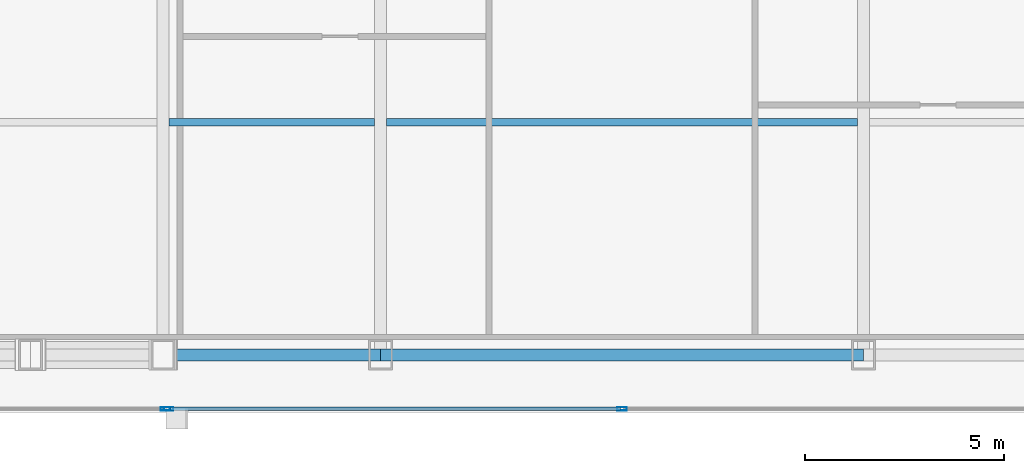
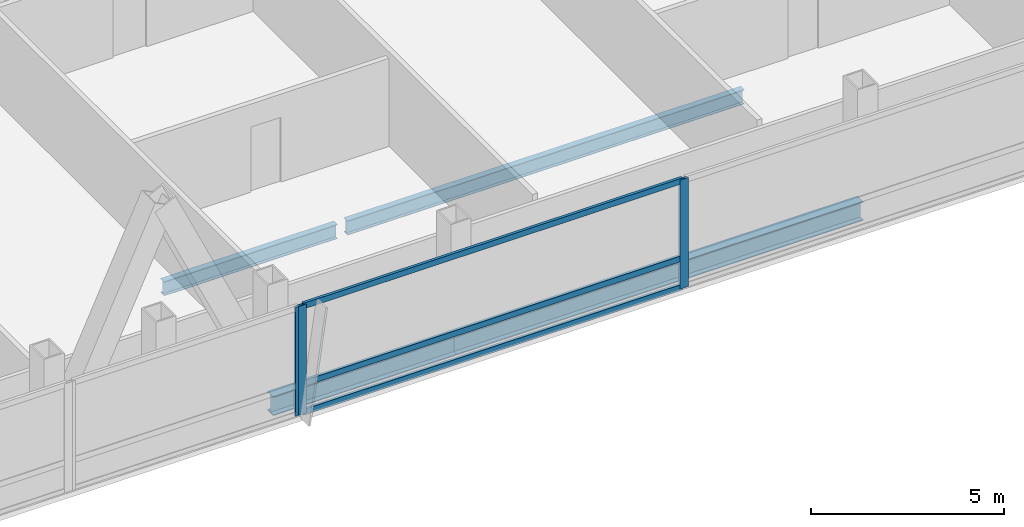
# One storey, part 8 of 32: 6 members, 4 beams, 2 elements without a shape of their own.
"""IFC4 building model written with IfcOpenShell, lengths in metres."""

from ifc_helpers import new_model, si_unit, direction, frame, origin, origin_2d, place, context, subcontext, project, spatial, hollow_rectangle, i_section, extrude, material, material_profile, profile_set, type_object, element, aggregate, save


model = new_model("IFC4")

# Units and contexts
model_context = context("Model", 3, precision=1e-05, world=origin(), true_north=direction((0.0, 1.0)))
body_context = subcontext(model_context, "Body", "Model", "MODEL_VIEW")
ifc_project = project(units=[si_unit("LENGTHUNIT", "METRE"), si_unit("AREAUNIT", "SQUARE_METRE"), si_unit("VOLUMEUNIT", "CUBIC_METRE"), si_unit("PLANEANGLEUNIT", "RADIAN"), si_unit("MASSUNIT", "GRAM", prefix="KILO")], contexts=[model_context])

# Site, building, storey
site_placement = place(None, origin())
site = spatial("IfcSite", under=ifc_project, at=site_placement, CompositionType="ELEMENT")
building_placement = place(site_placement, origin())
building = spatial("IfcBuilding", under=site, at=building_placement, Name="Khoronbel Lancet Exchange", CompositionType="ELEMENT")
storey_placement = place(building_placement, frame((0.0, 0.0, 231.800048828125)))
storey = spatial("IfcBuildingStorey", under=building, at=storey_placement, Name="L59", CompositionType="ELEMENT", Elevation=231.800048828125)

# Beams
ifc_material_1 = material(Name="Steel S355", Category="steel")
ifc_material_profile_1 = material_profile(ifc_material_1, i_section(OverallWidth=0.18994140625, OverallDepth=0.449951171875, WebThickness=0.009521484375, FlangeThickness=0.0146484375, at=origin_2d()), Name="IPE 450")
ifc_profile_set_1 = profile_set([ifc_material_profile_1], Name="Steel S355")
beam_type_1 = type_object("IfcBeamType", Name="BM-BJ4", PredefinedType="JOIST", material=ifc_profile_set_1)
beam_1_placement = place(storey_placement, frame((25.050048828125, 16.0, -0.385009765625), z_axis=(1.0, 0.0, 0.0), x_axis=(0.0, 1.0, 0.0)))
element("IfcBeam", 1, at=beam_1_placement, inside=storey, type_object=beam_type_1, Name="Level L59 secondary composite joist J02", PredefinedType="JOIST", context=body_context, shape_type="SweptSolid", body=[
    extrude(i_section(OverallWidth=0.18994140625, OverallDepth=0.449951171875, WebThickness=0.009521484375, FlangeThickness=0.0146484375, at=origin_2d()), origin(), (0.0, 0.0, 1.0), 5.175048828125),
])
beam_2_placement = place(storey_placement, frame((30.52490234375, 16.0, -0.385009765625), z_axis=(1.0, 0.0, 0.0), x_axis=(0.0, 1.0, 0.0)))
element("IfcBeam", 2, at=beam_2_placement, inside=storey, type_object=beam_type_1, Name="Level L59 secondary composite joist J03", PredefinedType="JOIST", context=body_context, shape_type="SweptSolid", body=[
    extrude(i_section(OverallWidth=0.18994140625, OverallDepth=0.449951171875, WebThickness=0.009521484375, FlangeThickness=0.0146484375, at=origin_2d()), origin(), (0.0, 0.0, 1.0), 11.85009765625),
])
ifc_material_profile_2 = material_profile(ifc_material_1, i_section(OverallWidth=0.300048828125, OverallDepth=0.60009765625, WebThickness=0.015380859375, FlangeThickness=0.030029296875, at=origin_2d()), Name="HEB 600")
ifc_profile_set_2 = profile_set([ifc_material_profile_2], Name="Steel S355")
beam_type_2 = type_object("IfcBeamType", Name="BM-BSP2", PredefinedType="SPANDREL", material=ifc_profile_set_2)
beam_3_placement = place(storey_placement, frame((24.89990234375, 10.14990234375, -0.4599609375), z_axis=(1.0, 0.0, 0.0), x_axis=(0.0, 1.0, 0.0)))
element("IfcBeam", 3, at=beam_3_placement, inside=storey, type_object=beam_type_2, Name="Level L59 perimeter spandrel beam SP04", PredefinedType="SPANDREL", context=body_context, shape_type="SweptSolid", body=[
    extrude(i_section(OverallWidth=0.300048828125, OverallDepth=0.60009765625, WebThickness=0.015380859375, FlangeThickness=0.030029296875, at=origin_2d()), origin(), (0.0, 0.0, 1.0), 5.47509765625),
])
beam_4_placement = place(storey_placement, frame((30.375, 10.14990234375, -0.4599609375), z_axis=(1.0, 0.0, 0.0), x_axis=(0.0, 1.0, 0.0)))
element("IfcBeam", 4, at=beam_4_placement, inside=storey, type_object=beam_type_2, Name="Level L59 perimeter spandrel beam SP05", PredefinedType="SPANDREL", context=body_context, shape_type="SweptSolid", body=[
    extrude(i_section(OverallWidth=0.300048828125, OverallDepth=0.60009765625, WebThickness=0.015380859375, FlangeThickness=0.030029296875, at=origin_2d()), origin(), (0.0, 0.0, 1.0), 12.14990234375),
])

# Curtain wall, member
ifc_material_2 = material(Name="Low-E Solar Control Insulating Glass", Category="glass")
curtain_wall_type = type_object("IfcCurtainWallType", Name="CW-3", PredefinedType="NOTDEFINED", material=ifc_material_2)
curtain_wall_1_placement = place(storey_placement, origin())
curtain_wall_1 = element("IfcCurtainWall", 5, at=curtain_wall_1_placement, inside=storey, type_object=curtain_wall_type, Name="Unitised curtain wall CW-L59-SWB", PredefinedType="NOTDEFINED")
ifc_material_3 = material(Name="Bronze-Anodised Aluminium 6063-T6", Category="aluminium")
ifc_material_profile_3 = material_profile(ifc_material_3, hollow_rectangle(XDim=0.0849609375, YDim=0.239990234375, WallThickness=0.006103515625, at=origin_2d()), Name="ALU MULLION 85x240")
ifc_profile_set_3 = profile_set([ifc_material_profile_3], Name="Bronze-Anodised Aluminium 6063-T6")
member_type_1 = type_object("IfcMemberType", Name="MEM-CWM1", PredefinedType="MULLION", material=ifc_profile_set_3)
member_1_placement = place(storey_placement, frame((24.95751953125, 8.7900390625, 0.0), z_axis=(0.0, 0.0, 1.0), x_axis=(0.0, 1.0, 0.0)))
member_1 = element("IfcMember", 6, at=member_1_placement, type_object=member_type_1, Name="CW3 mullion 2", PredefinedType="MULLION", context=body_context, shape_type="SweptSolid", body=[
    extrude(hollow_rectangle(XDim=0.0849609375, YDim=0.239990234375, WallThickness=0.006103515625, at=origin_2d()), origin(), (0.0, 0.0, 1.0), 3.43994140625),
])
aggregate(curtain_wall_1, [member_1])

# Curtain wall, members
curtain_wall_2_placement = place(storey_placement, origin())
curtain_wall_2 = element("IfcCurtainWall", 7, at=curtain_wall_2_placement, inside=storey, type_object=curtain_wall_type, Name="Unitised curtain wall CW-L59-SCV", PredefinedType="NOTDEFINED")
member_2_placement = place(storey_placement, frame((25.04248046875, 8.7900390625, 0.0), z_axis=(0.0, 0.0, 1.0), x_axis=(0.0, 1.0, 0.0)))
member_2 = element("IfcMember", 8, at=member_2_placement, type_object=member_type_1, Name="CW3 mullion 1", PredefinedType="MULLION", context=body_context, shape_type="SweptSolid", body=[
    extrude(hollow_rectangle(XDim=0.0849609375, YDim=0.239990234375, WallThickness=0.006103515625, at=origin_2d()), origin(), (0.0, 0.0, 1.0), 3.43994140625),
])
member_3_placement = place(storey_placement, frame((36.449951171875, 8.7900390625, 0.0), z_axis=(0.0, 0.0, 1.0), x_axis=(0.0, 1.0, 0.0)))
member_3 = element("IfcMember", 9, at=member_3_placement, type_object=member_type_1, Name="CW3 mullion 2", PredefinedType="MULLION", context=body_context, shape_type="SweptSolid", body=[
    extrude(hollow_rectangle(XDim=0.0849609375, YDim=0.239990234375, WallThickness=0.006103515625, at=origin_2d()), origin(), (0.0, 0.0, 1.0), 3.43994140625),
])
ifc_material_profile_4 = material_profile(ifc_material_3, hollow_rectangle(XDim=0.0849609375, YDim=0.179931640625, WallThickness=0.0048828125, at=origin_2d()), Name="ALU TRANSOM 85x180")
ifc_profile_set_4 = profile_set([ifc_material_profile_4], Name="Bronze-Anodised Aluminium 6063-T6")
member_type_2 = type_object("IfcMemberType", Name="MEM-CWT1", PredefinedType="USERDEFINED", material=ifc_profile_set_4)
member_4_placement = place(storey_placement, frame((25.0849609375, 8.7900390625, 0.04248046875), z_axis=(1.0, 0.0, 0.0), x_axis=(0.0, 1.0, 0.0)))
member_4 = element("IfcMember", 10, at=member_4_placement, type_object=member_type_2, Name="CW3 transom 1.1", ObjectType="TRANSOM", PredefinedType="USERDEFINED", context=body_context, shape_type="SweptSolid", body=[
    extrude(hollow_rectangle(XDim=0.0849609375, YDim=0.179931640625, WallThickness=0.0048828125, at=origin_2d()), origin(), (0.0, 0.0, 1.0), 11.322509765625),
])
member_5_placement = place(storey_placement, frame((25.0849609375, 8.7900390625, 0.949951171875), z_axis=(1.0, 0.0, 0.0), x_axis=(0.0, 1.0, 0.0)))
member_5 = element("IfcMember", 11, at=member_5_placement, type_object=member_type_2, Name="CW3 transom 1.2", ObjectType="TRANSOM", PredefinedType="USERDEFINED", context=body_context, shape_type="SweptSolid", body=[
    extrude(hollow_rectangle(XDim=0.0849609375, YDim=0.179931640625, WallThickness=0.0048828125, at=origin_2d()), origin(), (0.0, 0.0, 1.0), 11.322509765625),
])
member_6_placement = place(storey_placement, frame((25.0849609375, 8.7900390625, 3.3974609375), z_axis=(1.0, 0.0, 0.0), x_axis=(0.0, 1.0, 0.0)))
member_6 = element("IfcMember", 12, at=member_6_placement, type_object=member_type_2, Name="CW3 transom 1.3", ObjectType="TRANSOM", PredefinedType="USERDEFINED", context=body_context, shape_type="SweptSolid", body=[
    extrude(hollow_rectangle(XDim=0.0849609375, YDim=0.179931640625, WallThickness=0.0048828125, at=origin_2d()), origin(), (0.0, 0.0, 1.0), 11.322509765625),
])
aggregate(curtain_wall_2, [member_2, member_3, member_4, member_5, member_6])

save(model, "model.ifc")
